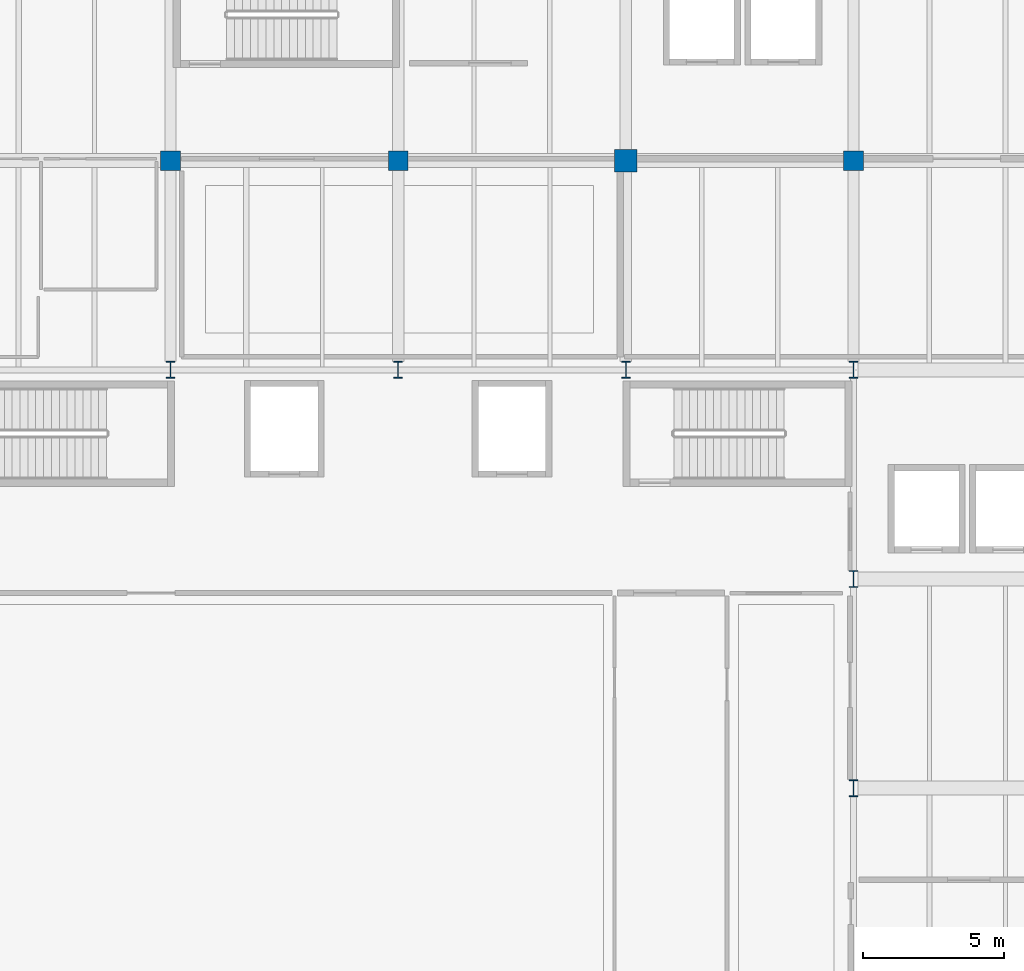
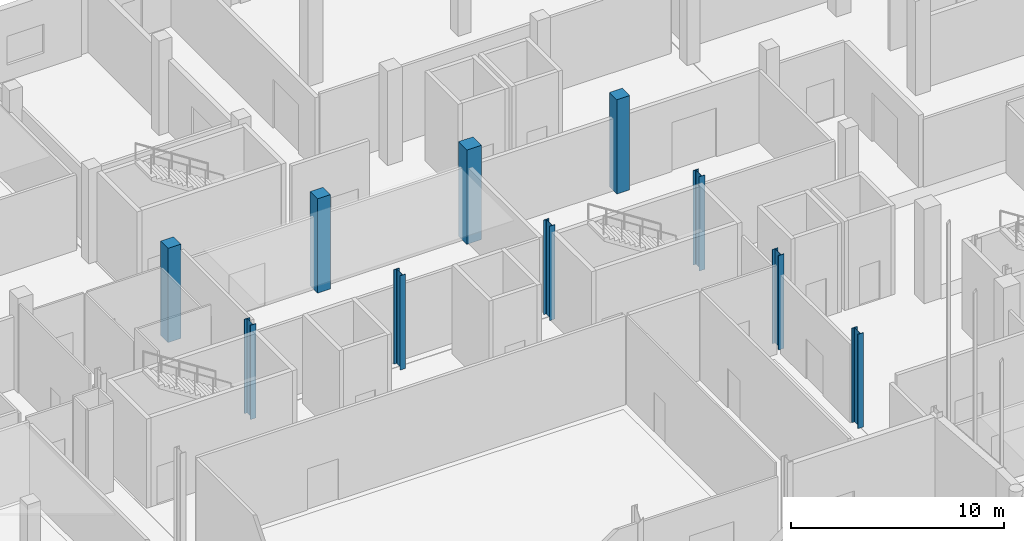
# One storey, part 8 of 372: 10 columns.
"""IFC4 building model written with IfcOpenShell, lengths in metres."""

from ifc_helpers import new_model, si_unit, direction, frame, origin, origin_2d, place, context, subcontext, project, spatial, rectangle, i_section, extrude, material, material_profile, profile_set, type_object, element, save


model = new_model("IFC4")

# Units and contexts
model_context = context("Model", 3, precision=1e-05, world=origin(), true_north=direction((0.0, 1.0)))
body_context = subcontext(model_context, "Body", "Model", "MODEL_VIEW")
ifc_project = project(units=[si_unit("LENGTHUNIT", "METRE"), si_unit("AREAUNIT", "SQUARE_METRE"), si_unit("VOLUMEUNIT", "CUBIC_METRE"), si_unit("PLANEANGLEUNIT", "RADIAN"), si_unit("MASSUNIT", "GRAM", prefix="KILO")], contexts=[model_context])

# Site, building, storey
site_placement = place(None, origin())
site = spatial("IfcSite", under=ifc_project, at=site_placement, CompositionType="ELEMENT")
building_placement = place(site_placement, origin())
building = spatial("IfcBuilding", under=site, at=building_placement, Name="Kaelora Sail Theatre", CompositionType="ELEMENT")
storey_placement = place(building_placement, origin())
storey = spatial("IfcBuildingStorey", under=building, at=storey_placement, Name="L00", CompositionType="ELEMENT", Elevation=0.0)

# Columns
ifc_material_1 = material(Name="Steel S355", Category="steel")
ifc_material_profile_1 = material_profile(ifc_material_1, i_section(OverallWidth=0.300048828125, OverallDepth=0.60009765625, WebThickness=0.015380859375, FlangeThickness=0.030029296875, FilletRadius=0.027099609375, at=origin_2d()), Name="HEB 600")
ifc_profile_set_1 = profile_set([ifc_material_profile_1], Name="Steel S355")
column_type_1 = type_object("IfcColumnType", Name="STR-COL-C-HEB600", PredefinedType="COLUMN", material=ifc_profile_set_1)
for number, where, z_axis, x_axis, name in (
    (1, (33.89990234375, 83.340087890625, 0.0), (0.0, 0.0, 1.0), (1.0, 0.0, 0.0), "Column 5/L (L00)"),
    (2, (42.0, 83.340087890625, 0.0), (0.0, 0.0, 1.0), (1.0, 0.0, 0.0), "Column 6/L (L00)"),
    (3, (50.10009765625, 83.340087890625, 0.0), (0.0, 0.0, 1.0), (1.0, 0.0, 0.0), "Column 7/L (L00)"),
    (4, (58.199951171875, 68.4599609375, 0.0), (0.0, 0.0, 1.0), (1.0, 0.0, 0.0), "Column 8/J (L00)"),
    (5, (58.199951171875, 75.89990234375, 0.0), (0.0, 0.0, 1.0), (1.0, 0.0, 0.0), "Column 8/K (L00)"),
    (6, (58.199951171875, 83.340087890625, 0.0), (0.0, 0.0, 1.0), (1.0, 0.0, 0.0), "Column 8/L (L00)"),
):
    element("IfcColumn", number, at=place(storey_placement, frame(where, z_axis=z_axis, x_axis=x_axis)), inside=storey, type_object=column_type_1, Name=name, PredefinedType="COLUMN", context=body_context, shape_type="SweptSolid", body=[
        extrude(i_section(OverallWidth=0.300048828125, OverallDepth=0.60009765625, WebThickness=0.015380859375, FlangeThickness=0.030029296875, FilletRadius=0.027099609375, at=origin_2d()), origin(), (0.0, 0.0, 1.0), 5.39990234375),
    ])
ifc_material_2 = material(Name="Concrete C45/55", Category="concrete")
ifc_material_profile_2 = material_profile(ifc_material_2, rectangle(XDim=0.699951171875, YDim=0.699951171875, at=origin_2d()), Name="RC-COL 700x700")
ifc_profile_set_2 = profile_set([ifc_material_profile_2], Name="Concrete C45/55")
column_type_2 = type_object("IfcColumnType", Name="STR-COL-C-RC700", PredefinedType="COLUMN", material=ifc_profile_set_2)
for number, where, z_axis, x_axis, name in (
    (7, (33.89990234375, 90.780029296875, 0.0), (0.0, 0.0, 1.0), (1.0, 0.0, 0.0), "Column 5/M (L00)"),
    (8, (42.0, 90.780029296875, 0.0), (0.0, 0.0, 1.0), (1.0, 0.0, 0.0), "Column 6/M (L00)"),
    (9, (58.199951171875, 90.780029296875, 0.0), (0.0, 0.0, 1.0), (1.0, 0.0, 0.0), "Column 8/M (L00)"),
):
    element("IfcColumn", number, at=place(storey_placement, frame(where, z_axis=z_axis, x_axis=x_axis)), inside=storey, type_object=column_type_2, Name=name, PredefinedType="COLUMN", context=body_context, shape_type="SweptSolid", body=[
        extrude(rectangle(XDim=0.699951171875, YDim=0.699951171875, at=origin_2d()), origin(), (0.0, 0.0, 1.0), 5.39990234375),
    ])
ifc_material_3 = material(Name="Concrete C50/60", Category="concrete")
ifc_material_profile_3 = material_profile(ifc_material_3, rectangle(XDim=0.800048828125, YDim=0.800048828125, at=origin_2d()), Name="RC-COL 800x800")
ifc_profile_set_3 = profile_set([ifc_material_profile_3], Name="Concrete C50/60")
column_type_3 = type_object("IfcColumnType", Name="STR-COL-C-RC800", PredefinedType="COLUMN", material=ifc_profile_set_3)
column_placement = place(storey_placement, frame((50.10009765625, 90.780029296875, 0.0), z_axis=(0.0, 0.0, 1.0), x_axis=(1.0, 0.0, 0.0)))
element("IfcColumn", 10, at=column_placement, inside=storey, type_object=column_type_3, Name="Column 7/M (L00)", PredefinedType="COLUMN", context=body_context, shape_type="SweptSolid", body=[
    extrude(rectangle(XDim=0.800048828125, YDim=0.800048828125, at=origin_2d()), origin(), (0.0, 0.0, 1.0), 5.39990234375),
])

save(model, "model.ifc")
